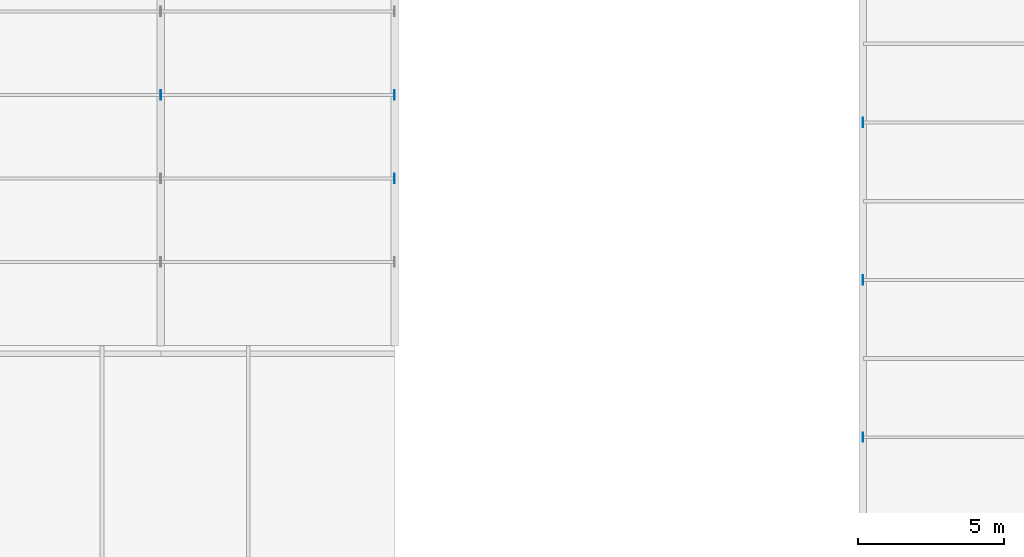
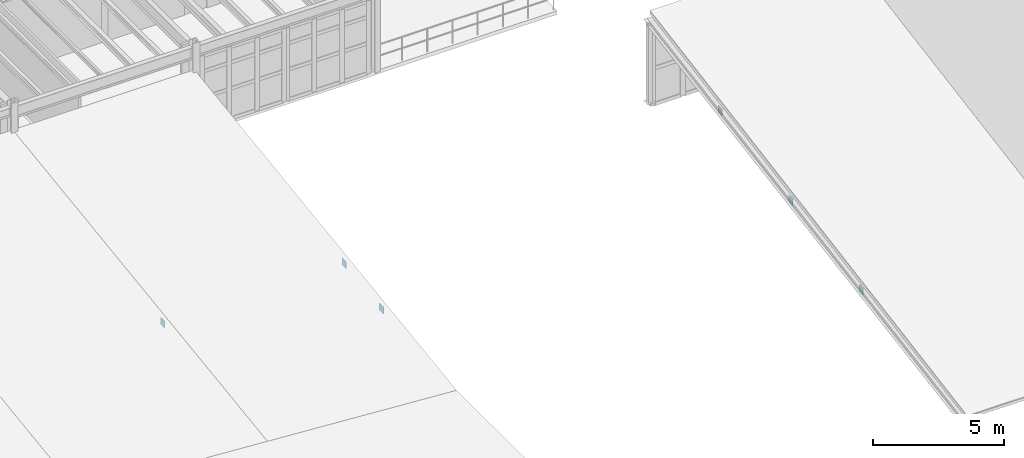
# One storey, part 58 of 77: 6 plates.
"""IFC4 building model written with IfcOpenShell, lengths in metres."""

import ifcopenshell
import ifcopenshell.guid

model = None  # the IFC model being written
_history = None  # IfcOwnerHistory: only IFC2X3 demands one
_inside = {}  # id of a spatial element -> (the spatial element, [elements in it])
_under = {}  # id of a project, library or spatial element -> (it, [spatial elements below it])
_declared = {}  # id of a project -> (the project, [libraries it declares])
_typed = {}  # id of a type object -> (the type object, [elements of that type])
_made_of = {}  # id of a material, layer set ... -> (it, [elements and type objects made of it])


def new_model(schema):
    """Start an empty IFC model of exactly this schema.

    Asked for "IFC4X3", IfcOpenShell would pick the latest addendum, in which some entities
    have other attributes; the version numbers below select the first issue.
    IFC2X3 requires an IfcOwnerHistory on every rooted entity: one is made here for all.
    """
    global model, _history
    if schema == "IFC4X3":
        model = ifcopenshell.file(schema_version=(4, 3, 0, 0))
    else:
        model = ifcopenshell.file(schema=schema)
    _inside.clear()
    _under.clear()
    _declared.clear()
    _typed.clear()
    _made_of.clear()
    _history = None
    if model.schema == "IFC2X3":
        org = make("IfcOrganization", Name="unknown")
        user = make(
            "IfcPersonAndOrganization",
            ThePerson=make("IfcPerson", FamilyName="unknown"),
            TheOrganization=org,
        )
        app = make(
            "IfcApplication",
            ApplicationDeveloper=org,
            Version="unknown",
            ApplicationFullName="unknown",
            ApplicationIdentifier="unknown",
        )
        _history = make(
            "IfcOwnerHistory",
            OwningUser=user,
            OwningApplication=app,
            ChangeAction="ADDED",
            CreationDate=0,
        )
    return model


def make(cls, **values):
    """One entity of the class cls with the attributes given. An attribute that is None is left unset."""
    return model.create_entity(
        cls, **{name: value for name, value in values.items() if value is not None}
    )


def rooted(cls, **values):
    """An entity with a GlobalId (a new one), such as an element, a storey or a relation."""
    return make(cls, GlobalId=ifcopenshell.guid.new(), OwnerHistory=_history, **values)


def si_unit(unit_type, name, prefix=None):
    """IfcSIUnit, for example si_unit("LENGTHUNIT", "METRE", prefix="MILLI")."""
    return make("IfcSIUnit", UnitType=unit_type, Prefix=prefix, Name=name)


def assignment(units):
    """IfcUnitAssignment: the units of a project."""
    return None if units is None else make("IfcUnitAssignment", Units=units)


def point(xyz):
    """IfcCartesianPoint."""
    return None if xyz is None else make("IfcCartesianPoint", Coordinates=xyz)


def direction(xyz):
    """IfcDirection."""
    return None if xyz is None else make("IfcDirection", DirectionRatios=xyz)


def frame(location, z_axis=None, x_axis=None):
    """IfcAxis2Placement3D, a coordinate frame: its origin and axes. An axis left out is left unset."""
    return make(
        "IfcAxis2Placement3D",
        Location=point(location),
        Axis=direction(z_axis),
        RefDirection=direction(x_axis),
    )


def frame_2d(location, x_axis=None):
    """IfcAxis2Placement2D, a coordinate frame in the plane: its origin and x axis."""
    return make(
        "IfcAxis2Placement2D", Location=point(location), RefDirection=direction(x_axis)
    )


def origin():
    """The frame at (0, 0, 0) with its axes left unset."""
    return frame((0.0, 0.0, 0.0))


def origin_2d():
    """The frame at (0, 0) in the plane with its x axis left unset."""
    return frame_2d((0.0, 0.0))


def place(relative_to, where):
    """IfcLocalPlacement: puts the frame where relative to a parent placement (None: the world)."""
    return make(
        "IfcLocalPlacement", PlacementRelTo=relative_to, RelativePlacement=where
    )


def context(
    kind, dimensions, precision=None, world=None, true_north=None, identifier=None
):
    """IfcGeometricRepresentationContext, for example the 3D "Model" context."""
    return make(
        "IfcGeometricRepresentationContext",
        ContextIdentifier=identifier,
        ContextType=kind,
        CoordinateSpaceDimension=dimensions,
        Precision=precision,
        WorldCoordinateSystem=world,
        TrueNorth=true_north,
    )


def subcontext(parent, identifier, kind, view, scale=None):
    """IfcGeometricRepresentationSubContext, for example "Body" below "Model"."""
    return make(
        "IfcGeometricRepresentationSubContext",
        ContextIdentifier=identifier,
        ContextType=kind,
        ParentContext=parent,
        TargetScale=scale,
        TargetView=view,
    )


def project(units=None, contexts=None):
    """IfcProject with its units and contexts."""
    return rooted(
        "IfcProject",
        Name="project",
        RepresentationContexts=contexts,
        UnitsInContext=assignment(units),
    )


def spatial(cls, under=None, at=None, **own):
    """A site, building, storey or space (cls), placed at a placement, below another one or the project."""
    s = rooted(cls, ObjectPlacement=at, **own)
    if under is not None:
        _under.setdefault(under.id(), (under, []))[1].append(s)
    return s


def profile(cls, at=None, kind="AREA", **sizes):
    """A parametric profile (cls). Its sizes go by their IFC names, for example OverallWidth=200.0."""
    return make(cls, ProfileType=kind, Position=at, **sizes)


def rectangle(**sizes):
    """IfcRectangleProfileDef."""
    return profile("IfcRectangleProfileDef", **sizes)


def extrude(swept, where, along, depth):
    """IfcExtrudedAreaSolid: the profile swept, set in the frame where, extruded along a direction by depth."""
    return make(
        "IfcExtrudedAreaSolid",
        SweptArea=swept,
        Position=where,
        ExtrudedDirection=direction(along),
        Depth=depth,
    )


def shape(context_of_items, identifier, shape_type, items):
    """IfcShapeRepresentation: the items that make up one representation, for example the "Body"."""
    return make(
        "IfcShapeRepresentation",
        ContextOfItems=context_of_items,
        RepresentationIdentifier=identifier,
        RepresentationType=shape_type,
        Items=items,
    )


def material(Name=None, Category=None):
    """IfcMaterial."""
    return make("IfcMaterial", Name=Name, Category=Category)


def material_profile(
    of_material, cross_section, Name=None, Category=None, Priority=None
):
    """IfcMaterialProfile: a cross section and its material."""
    return make(
        "IfcMaterialProfile",
        Name=Name,
        Material=of_material,
        Profile=cross_section,
        Priority=Priority,
        Category=Category,
    )


def profile_set(profiles, Name=None, composite=None):
    """IfcMaterialProfileSet."""
    return make(
        "IfcMaterialProfileSet",
        Name=Name,
        MaterialProfiles=profiles,
        CompositeProfile=composite,
    )


def made_of(thing, what):
    """Note that an element or type object is made of a material, layer set ...; save() writes the relation."""
    if what is not None:
        _made_of.setdefault(what.id(), (what, []))[1].append(thing)
    return thing


def type_object(cls, material=None, **own):
    """A type object (cls), such as IfcWallType, which elements share."""
    return made_of(rooted(cls, **own), material)


def element(
    cls,
    number,
    at=None,
    inside=None,
    cuts=None,
    type_object=None,
    material=None,
    context=None,
    identifier="Body",
    shape_type=None,
    held_by="IfcProductDefinitionShape",
    body=None,
    shapes=None,
    **own,
):
    """One element of the class cls, such as IfcWall. Its Tag is "e" and its number.

    at: its placement. inside: the storey or other place that contains it. cuts: it is an
    opening in that element (IfcRelVoidsElement). A single representation is given by context,
    identifier, shape_type and body (its items); several are given by shapes. held_by: the class
    of the entity that holds the representations. save() writes the other relations.
    """
    e = rooted(cls, Tag="e%d" % number, ObjectPlacement=at, **own)
    if body is not None:
        shapes = [shape(context, identifier, shape_type, body)]
    if shapes is not None:
        e.Representation = make(held_by, Representations=shapes)
    if inside is not None:
        _inside.setdefault(inside.id(), (inside, []))[1].append(e)
    if cuts is not None:
        rooted(
            "IfcRelVoidsElement", RelatingBuildingElement=cuts, RelatedOpeningElement=e
        )
    if type_object is not None:
        _typed.setdefault(type_object.id(), (type_object, []))[1].append(e)
    return made_of(e, material)


def aggregate(whole, parts):
    """IfcRelAggregates: a whole, such as a stair, and the parts it consists of."""
    return rooted("IfcRelAggregates", RelatingObject=whole, RelatedObjects=parts)


def save(model, path):
    """Write the relations noted so far, then the file.

    IfcRelAggregates (storeys below a building ...), IfcRelContainedInSpatialStructure (elements
    in a storey), IfcRelDefinesByType, IfcRelAssociatesMaterial and IfcRelDeclares: one each for
    every whole, place, type object, material and project.
    """
    for whole, parts in _under.values():
        aggregate(whole, parts)
    for where, things in _inside.values():
        rooted(
            "IfcRelContainedInSpatialStructure",
            RelatedElements=things,
            RelatingStructure=where,
        )
    for kind, things in _typed.values():
        rooted("IfcRelDefinesByType", RelatedObjects=things, RelatingType=kind)
    for what, things in _made_of.values():
        rooted("IfcRelAssociatesMaterial", RelatedObjects=things, RelatingMaterial=what)
    for by, libraries in _declared.values():
        rooted("IfcRelDeclares", RelatingContext=by, RelatedDefinitions=libraries)
    model.write(path)


model = new_model("IFC4")

# Units and contexts
model_context = context("Model", 3, precision=1e-05, world=origin(), true_north=direction((0.0, 1.0)))
body_context = subcontext(model_context, "Body", "Model", "MODEL_VIEW")
ifc_project = project(units=[si_unit("LENGTHUNIT", "METRE"), si_unit("AREAUNIT", "SQUARE_METRE"), si_unit("VOLUMEUNIT", "CUBIC_METRE"), si_unit("PLANEANGLEUNIT", "RADIAN"), si_unit("MASSUNIT", "GRAM", prefix="KILO"), si_unit("THERMODYNAMICTEMPERATUREUNIT", "KELVIN"), si_unit("POWERUNIT", "WATT")], contexts=[model_context])

# Site, building, storey
site_placement = place(None, origin())
site = spatial("IfcSite", under=ifc_project, at=site_placement, CompositionType="ELEMENT")
building_placement = place(site_placement, origin())
building = spatial("IfcBuilding", under=site, at=building_placement, Name="Zhenchuan Central Fire Station", CompositionType="ELEMENT")
storey_placement = place(building_placement, frame((0.0, 0.0, 10.050048828125)))
storey = spatial("IfcBuildingStorey", under=building, at=storey_placement, Name="L03", CompositionType="ELEMENT", Elevation=10.050048828125)

# Plates
ifc_material = material(Name="Steel Q355B", Category="steel")
ifc_material_profile = material_profile(ifc_material, rectangle(XDim=0.320068359375, YDim=0.320068359375, at=origin_2d()), Name="PL 320x320x20")
ifc_profile_set = profile_set([ifc_material_profile], Name="Steel Q355B")
plate_type = type_object("IfcPlateType", Name="PL-CAP20", PredefinedType="SHEET", material=ifc_profile_set)
for number, where, z_axis, x_axis, name in (
    (1, (55.9990234375, 19.36669921875, 1.03173828125), (1.0, 0.0, 0.0), (0.0, 1.0, 0.0), "Pavilion H01 Roof Purlin 3 end cap plate A"),
    (2, (55.9990234375, 24.744384765625, 1.939453125), (1.0, 0.0, 0.0), (0.0, 1.0, 0.0), "Pavilion H01 Roof Purlin 5 end cap plate A"),
    (3, (55.9990234375, 30.122314453125, 2.847412109375), (1.0, 0.0, 0.0), (0.0, 1.0, 0.0), "Pavilion H01 Roof Purlin 7 end cap plate A"),
    (4, (39.98095703125, 28.20849609375, 0.395751953125), (1.0, 0.0, 0.0), (0.0, 1.0, 0.0), "Workshop Sawtooth Purlin 5.2 end cap plate B"),
    (5, (31.9990234375, 31.06298828125, 0.778564453125), (1.0, 0.0, 0.0), (0.0, 1.0, 0.0), "Workshop Sawtooth Purlin 5.3 end cap plate A"),
    (6, (39.98095703125, 31.06298828125, 0.778564453125), (1.0, 0.0, 0.0), (0.0, 1.0, 0.0), "Workshop Sawtooth Purlin 5.3 end cap plate B"),
):
    element("IfcPlate", number, at=place(storey_placement, frame(where, z_axis=z_axis, x_axis=x_axis)), inside=storey, type_object=plate_type, Name=name, PredefinedType="SHEET", context=body_context, shape_type="SweptSolid", body=[
        extrude(rectangle(XDim=0.320068359375, YDim=0.320068359375, at=origin_2d()), origin(), (0.0, 0.0, 1.0), 0.02001953125),
    ])

save(model, "model.ifc")
